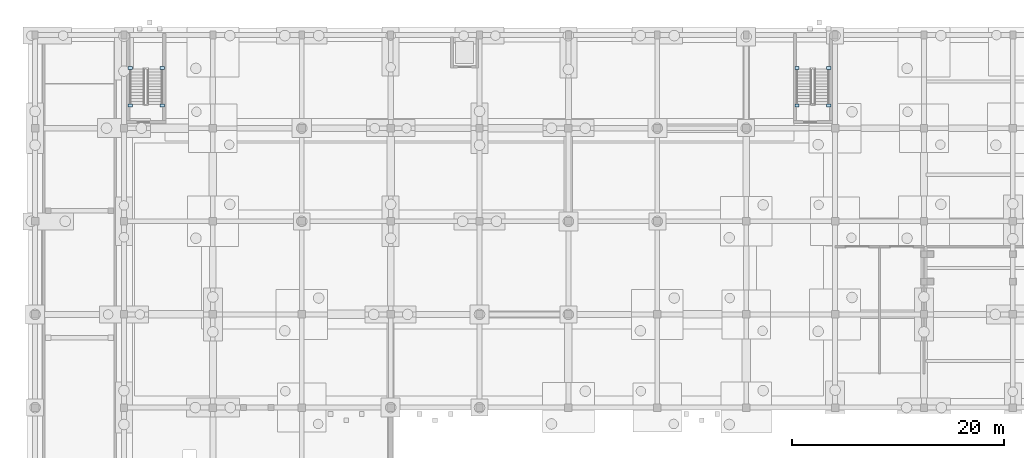
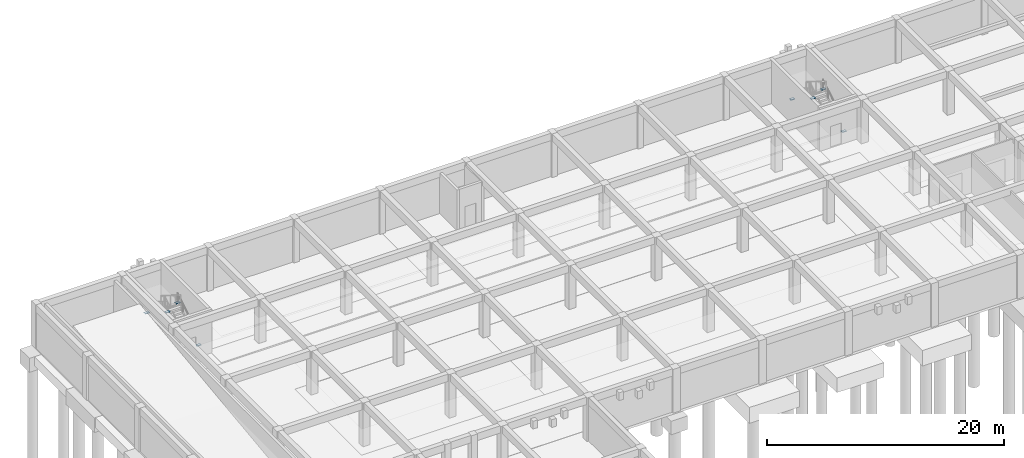
# One storey, part 22 of 41: 8 plates.
"""IFC4 building model written with IfcOpenShell, lengths in metres."""

from ifc_helpers import new_model, si_unit, direction, frame, origin, origin_2d, place, context, subcontext, project, spatial, rectangle, extrude, material, layer, layer_set, type_object, element, save


model = new_model("IFC4")

# Units and contexts
model_context = context("Model", 3, precision=1e-05, world=origin(), true_north=direction((0.0, 1.0)))
body_context = subcontext(model_context, "Body", "Model", "MODEL_VIEW")
ifc_project = project(units=[si_unit("LENGTHUNIT", "METRE"), si_unit("AREAUNIT", "SQUARE_METRE"), si_unit("VOLUMEUNIT", "CUBIC_METRE"), si_unit("PLANEANGLEUNIT", "RADIAN"), si_unit("MASSUNIT", "GRAM", prefix="KILO")], contexts=[model_context])

# Site, building, storey
site_placement = place(None, origin())
site = spatial("IfcSite", under=ifc_project, at=site_placement, CompositionType="ELEMENT")
building_placement = place(site_placement, origin())
building = spatial("IfcBuilding", under=site, at=building_placement, Name="Kemercrest Conservatory and Botanical Centre", CompositionType="ELEMENT")
storey_placement = place(building_placement, frame((0.0, 0.0, -4.5)))
storey = spatial("IfcBuildingStorey", under=building, at=storey_placement, Name="B1", CompositionType="ELEMENT", Elevation=-4.5)

# Plates
ifc_material = material(Name="Steel CSA G40.21 350W", Category="steel")
ifc_layer = layer(ifc_material, 0.030029296875)
ifc_layer_set = layer_set([ifc_layer], Name="Steel CSA G40.21 350W")
plate_type = type_object("IfcPlateType", Name="GN-05", PredefinedType="USERDEFINED", material=ifc_layer_set)
for number, where, z_axis, x_axis, name in (
    (1, (20.010009765625, 115.760009765625, -0.115234375), (0.0, 0.0, 1.0), (1.0, 0.0, 0.0), "Stair stringer base node cap GN-05 #21"),
    (2, (20.010009765625, 119.280029296875, 2.11474609375), (0.0, 0.0, 1.0), (1.0, 0.0, 0.0), "Stair stringer head node cap GN-05 #21"),
    (3, (16.989990234375, 115.760009765625, 4.36474609375), (0.0, 0.0, 1.0), (1.0, 0.0, 0.0), "Stair stringer base node cap GN-05 #22"),
    (4, (16.989990234375, 119.280029296875, 2.134765625), (0.0, 0.0, 1.0), (1.0, 0.0, 0.0), "Stair stringer head node cap GN-05 #22"),
    (5, (83.010009765625, 115.760009765625, -0.115234375), (0.0, 0.0, 1.0), (1.0, 0.0, 0.0), "Stair stringer base node cap GN-05 #29"),
    (6, (83.010009765625, 119.280029296875, 2.11474609375), (0.0, 0.0, 1.0), (1.0, 0.0, 0.0), "Stair stringer head node cap GN-05 #29"),
    (7, (79.989990234375, 115.760009765625, 4.36474609375), (0.0, 0.0, 1.0), (1.0, 0.0, 0.0), "Stair stringer base node cap GN-05 #30"),
    (8, (79.989990234375, 119.280029296875, 2.134765625), (0.0, 0.0, 1.0), (1.0, 0.0, 0.0), "Stair stringer head node cap GN-05 #30"),
):
    element("IfcPlate", number, at=place(storey_placement, frame(where, z_axis=z_axis, x_axis=x_axis)), inside=storey, type_object=plate_type, Name=name, ObjectType="GUSSET PLATE", PredefinedType="USERDEFINED", context=body_context, shape_type="SweptSolid", body=[
        extrude(rectangle(XDim=0.39990234375, YDim=0.280029296875, at=origin_2d()), origin(), (0.0, 0.0, 1.0), 0.030029296875),
    ])

save(model, "model.ifc")
